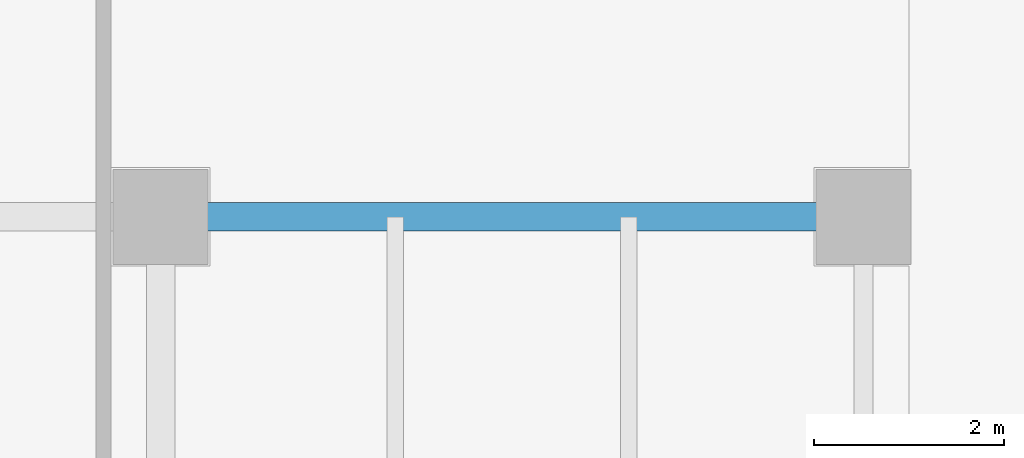
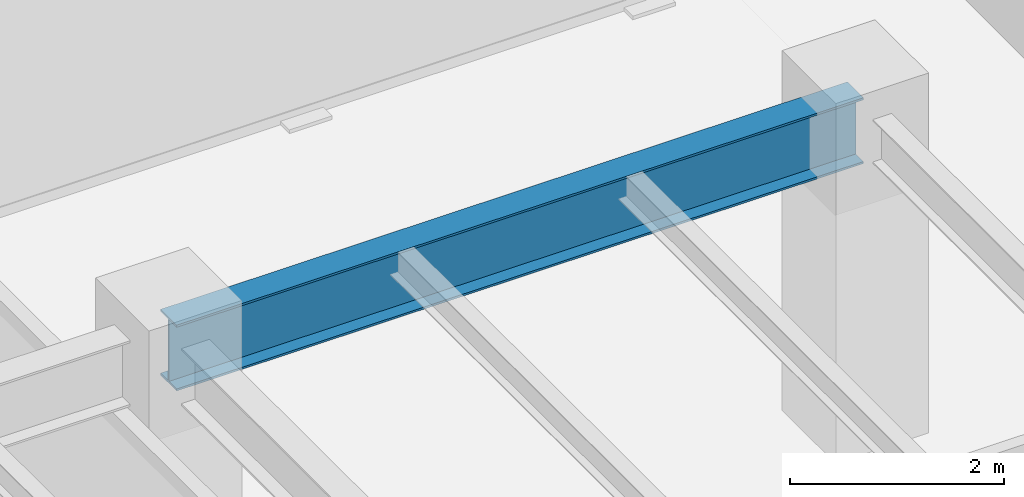
# One storey, part 21 of 37: 1 beam.
"""IFC4 building model written with IfcOpenShell, lengths in metres."""

from ifc_helpers import new_model, si_unit, direction, frame, origin, origin_2d, place, context, subcontext, project, spatial, i_section, extrude, source, transform, mapped, material, material_profile, profile_set, type_object, type_shapes, element, save


model = new_model("IFC4")

# Units and contexts
model_context = context("Model", 3, precision=1e-05, world=origin(), true_north=direction((0.0, 1.0)))
body_context = subcontext(model_context, "Body", "Model", "MODEL_VIEW")
ifc_project = project(units=[si_unit("LENGTHUNIT", "METRE"), si_unit("AREAUNIT", "SQUARE_METRE"), si_unit("VOLUMEUNIT", "CUBIC_METRE"), si_unit("PLANEANGLEUNIT", "RADIAN"), si_unit("MASSUNIT", "GRAM", prefix="KILO")], contexts=[model_context])

# Site, building, storey
site_placement = place(None, origin())
site = spatial("IfcSite", under=ifc_project, at=site_placement, CompositionType="ELEMENT")
building_placement = place(site_placement, origin())
building = spatial("IfcBuilding", under=site, at=building_placement, Name="Haelvirn Gate Laboratories", CompositionType="ELEMENT")
storey_placement = place(building_placement, frame((0.0, 0.0, 74.39990234375)))
storey = spatial("IfcBuildingStorey", under=building, at=storey_placement, Name="L18", CompositionType="ELEMENT", Elevation=74.39990234375)

# Beam
ifc_material = material(Name="Steel SM355", Category="steel")
ifc_material_profile = material_profile(ifc_material, i_section(OverallWidth=0.300048828125, OverallDepth=0.75, WebThickness=0.013916015625, FlangeThickness=0.02392578125, at=origin_2d()), Name="H-750x300x14x24")
ifc_profile_set = profile_set([ifc_material_profile], Name="Steel SM355")
beam_type = type_object("IfcBeamType", Name="BM-G-750", PredefinedType="BEAM", material=ifc_profile_set)
shared_shape = source(origin(), body_context, "Body", "SweptSolid", [
    extrude(i_section(OverallWidth=0.300048828125, OverallDepth=0.75, WebThickness=0.013916015625, FlangeThickness=0.02392578125, at=origin_2d()), origin(), (0.0, 0.0, 1.0), 7.39990234375),
])
type_shapes(beam_type, [shared_shape])
beam_placement = place(storey_placement, frame((60.0, 41.60009765625, 3.405029296875), z_axis=(1.0, 0.0, 0.0), x_axis=(0.0, 1.0, 0.0)))
element("IfcBeam", 1, at=beam_placement, inside=storey, type_object=beam_type, Name="L18 Primary Girder Y41.6 (60.0-67.4)", PredefinedType="BEAM", context=body_context, shape_type="MappedRepresentation", body=[
    mapped(shared_shape, transform((0.0, 0.0, 0.0), scale=1.0)),
])

save(model, "model.ifc")
